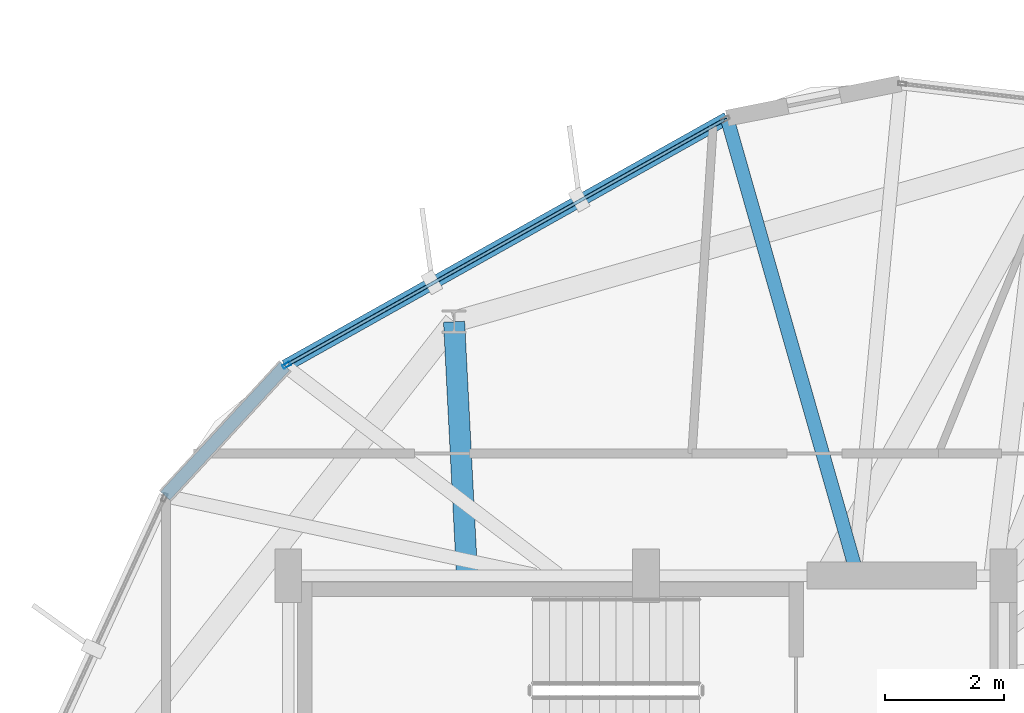
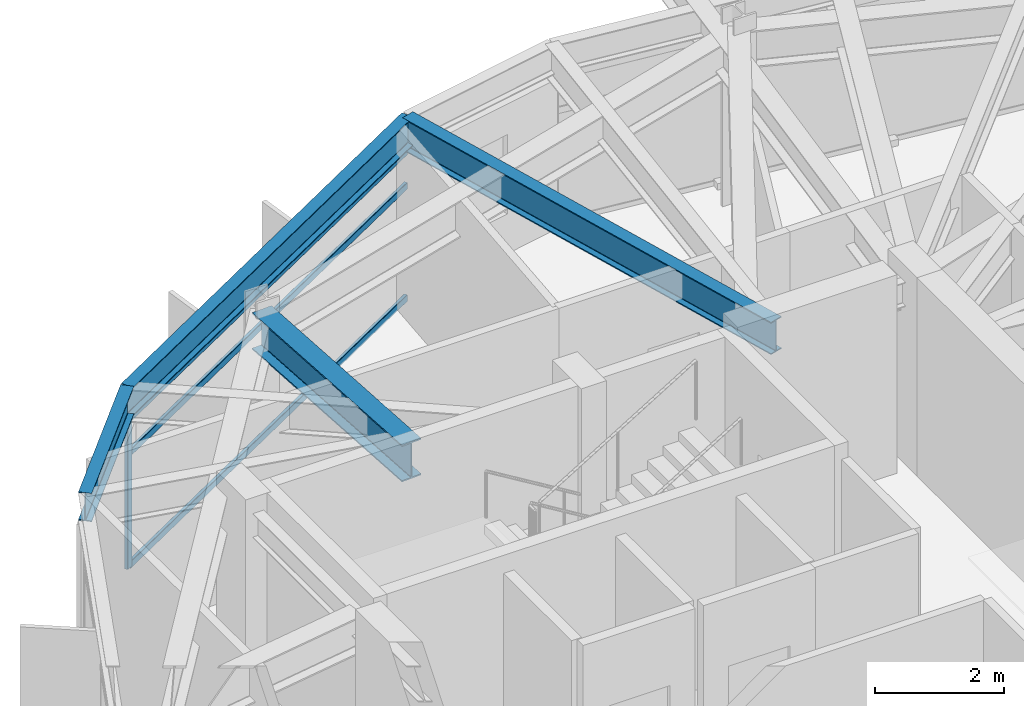
# One storey, part 14 of 25: 4 beams, 4 members, 1 element without a shape of its own.
"""IFC4 building model written with IfcOpenShell, lengths in metres."""

from ifc_helpers import new_model, si_unit, direction, frame, origin, origin_2d, place, context, subcontext, project, spatial, hollow_rectangle, i_section, extrude, material, layer, layer_set, material_profile, profile_set, type_object, element, aggregate, save


model = new_model("IFC4")

# Units and contexts
model_context = context("Model", 3, precision=1e-05, world=origin(), true_north=direction((0.0, 1.0)))
body_context = subcontext(model_context, "Body", "Model", "MODEL_VIEW")
ifc_project = project(units=[si_unit("LENGTHUNIT", "METRE"), si_unit("AREAUNIT", "SQUARE_METRE"), si_unit("VOLUMEUNIT", "CUBIC_METRE"), si_unit("PLANEANGLEUNIT", "RADIAN"), si_unit("MASSUNIT", "GRAM", prefix="KILO")], contexts=[model_context])

# Site, building, storey
site_placement = place(None, origin())
site = spatial("IfcSite", under=ifc_project, at=site_placement, CompositionType="ELEMENT")
building_placement = place(site_placement, origin())
building = spatial("IfcBuilding", under=site, at=building_placement, Name="Soratama Intermodal Tower", CompositionType="ELEMENT")
storey_placement = place(building_placement, frame((0.0, 0.0, 272.5)))
storey = spatial("IfcBuildingStorey", under=building, at=storey_placement, Name="L69", CompositionType="ELEMENT", Elevation=272.5)

# Beams
ifc_material_1 = material(Name="Structural steel ASTM A992 Grade 50", Category="steel")
ifc_material_profile_1 = material_profile(ifc_material_1, i_section(OverallWidth=0.35498046875, OverallDepth=0.695068359375, WebThickness=0.015380859375, FlangeThickness=0.02490234375, FilletRadius=0.01611328125, at=origin_2d()), Name="W27X146")
ifc_profile_set_1 = profile_set([ifc_material_profile_1], Name="Structural steel ASTM A992 Grade 50")
beam_type_1 = type_object("IfcBeamType", Name="BM-RING-W27X146", PredefinedType="BEAM", material=ifc_profile_set_1)
beam_1_placement = place(storey_placement, frame((35.60009765625, 35.0, 3.1025390625), z_axis=(-0.051122516685, 0.998692389221, 0.0), x_axis=(-0.998692389221, -0.051122516685, 0.0)))
element("IfcBeam", 1, at=beam_1_placement, inside=storey, type_object=beam_type_1, Name="BM-L69-RAD-04", PredefinedType="BEAM", context=body_context, shape_type="SweptSolid", body=[
    extrude(i_section(OverallWidth=0.35498046875, OverallDepth=0.695068359375, WebThickness=0.015380859375, FlangeThickness=0.02490234375, FilletRadius=0.01611328125, at=origin_2d()), origin(), (0.0, 0.0, 1.0), 4.2646484375),
])
ifc_material_2 = material(Name="Structural steel ASTM A992 Grade 50", Category="steel")
ifc_material_profile_2 = material_profile(ifc_material_2, i_section(OverallWidth=0.2099609375, OverallDepth=0.537109375, WebThickness=0.010986328125, FlangeThickness=0.017333984375, FilletRadius=0.012939453125, at=origin_2d()), Name="W21X68")
ifc_profile_set_2 = profile_set([ifc_material_profile_2], Name="Structural steel ASTM A992 Grade 50")
beam_type_2 = type_object("IfcBeamType", Name="BM-SPN-W21X68", PredefinedType="SPANDREL", material=ifc_profile_set_2)
beam_2_placement = place(storey_placement, frame((39.9619140625, 42.674072265625, 3.181396484375), z_axis=(-0.87224286594, -0.489072983119, 0.0), x_axis=(0.489072983119, -0.87224286594, 0.0)))
element("IfcBeam", 2, at=beam_2_placement, inside=storey, type_object=beam_type_2, Name="BS-L69-F02", PredefinedType="SPANDREL", context=body_context, shape_type="SweptSolid", body=[
    extrude(i_section(OverallWidth=0.2099609375, OverallDepth=0.537109375, WebThickness=0.010986328125, FlangeThickness=0.017333984375, FilletRadius=0.012939453125, at=origin_2d()), origin(), (0.0, 0.0, 1.0), 8.499755859375),
])
beam_3_placement = place(storey_placement, frame((32.548095703125, 38.51708984375, 3.181396484375), z_axis=(-0.678232252294, -0.734847611379, 0.0), x_axis=(0.734847611379, -0.678232252294, 0.0)))
element("IfcBeam", 3, at=beam_3_placement, inside=storey, type_object=beam_type_2, Name="BS-L69-CRN02", PredefinedType="SPANDREL", context=body_context, shape_type="SweptSolid", body=[
    extrude(i_section(OverallWidth=0.2099609375, OverallDepth=0.537109375, WebThickness=0.010986328125, FlangeThickness=0.017333984375, FilletRadius=0.012939453125, at=origin_2d()), origin(), (0.0, 0.0, 1.0), 2.966796875),
])
ifc_material_3 = material(Name="Structural steel ASTM A992 Grade 50", Category="steel")
ifc_material_profile_3 = material_profile(ifc_material_3, i_section(OverallWidth=0.22900390625, OverallDepth=0.612060546875, WebThickness=0.011962890625, FlangeThickness=0.01953125, FilletRadius=0.012939453125, at=origin_2d()), Name="W24X84")
ifc_profile_set_3 = profile_set([ifc_material_profile_3], Name="Structural steel ASTM A992 Grade 50")
beam_type_3 = type_object("IfcBeamType", Name="BM-TIE-W24X84", PredefinedType="BEAM", material=ifc_profile_set_3)
beam_4_placement = place(storey_placement, frame((42.138916015625, 35.0380859375, 3.14404296875), z_axis=(-0.274172854721, 0.961680428071, 0.0), x_axis=(-0.961680428071, -0.274172854721, 0.0)))
element("IfcBeam", 4, at=beam_4_placement, inside=storey, type_object=beam_type_3, Name="BM-L69-TIE0-02", PredefinedType="BEAM", context=body_context, shape_type="SweptSolid", body=[
    extrude(i_section(OverallWidth=0.22900390625, OverallDepth=0.612060546875, WebThickness=0.011962890625, FlangeThickness=0.01953125, FilletRadius=0.012939453125, at=origin_2d()), origin(), (0.0, 0.0, 1.0), 7.940185546875),
])

# Curtain wall, members
ifc_material_4 = material(Name="Double-glazed aluminium curtain wall", Category="aluminium")
ifc_layer = layer(ifc_material_4, 0.159912109375)
ifc_layer_set = layer_set([ifc_layer], Name="Double-glazed aluminium curtain wall")
curtain_wall_type = type_object("IfcCurtainWallType", Name="CW-SYS-5", PredefinedType="NOTDEFINED", material=ifc_layer_set)
curtain_wall_placement = place(storey_placement, origin())
curtain_wall = element("IfcCurtainWall", 5, at=curtain_wall_placement, inside=storey, type_object=curtain_wall_type, Name="L69 Faceted Curtain Wall F02", PredefinedType="NOTDEFINED")
ifc_material_5 = material(Name="Anodised aluminium AA 6063-T6", Category="aluminium")
ifc_material_profile_4 = material_profile(ifc_material_5, hollow_rectangle(XDim=0.06494140625, YDim=0.139892578125, WallThickness=0.0048828125, InnerFilletRadius=0.0048828125, OuterFilletRadius=0.010009765625, at=origin_2d()), Name="CWM140X65X5")
ifc_profile_set_4 = profile_set([ifc_material_profile_4], Name="Anodised aluminium AA 6063-T6")
member_type_1 = type_object("IfcMemberType", Name="MT-CWM-5", PredefinedType="MULLION", material=ifc_profile_set_4)
member_1_placement = place(storey_placement, frame((32.574462890625, 38.53173828125, 0.0), z_axis=(0.0, 0.0, 1.0), x_axis=(0.489079409958, -0.872239262333, 0.0)))
member_1 = element("IfcMember", 6, at=member_1_placement, type_object=member_type_1, Name="CW-5 mullion 2", PredefinedType="MULLION", context=body_context, shape_type="SweptSolid", body=[
    extrude(hollow_rectangle(XDim=0.06494140625, YDim=0.139892578125, WallThickness=0.0048828125, InnerFilletRadius=0.0048828125, OuterFilletRadius=0.010009765625, at=origin_2d()), origin(), (0.0, 0.0, 1.0), 2.8291015625),
])
ifc_material_6 = material(Name="Anodised aluminium AA 6063-T6", Category="aluminium")
ifc_material_profile_5 = material_profile(ifc_material_6, hollow_rectangle(XDim=0.06005859375, YDim=0.1298828125, WallThickness=0.0048828125, InnerFilletRadius=0.0048828125, OuterFilletRadius=0.010009765625, at=origin_2d()), Name="CWT130X60X5")
ifc_profile_set_5 = profile_set([ifc_material_profile_5], Name="Anodised aluminium AA 6063-T6")
member_type_2 = type_object("IfcMemberType", Name="TT-CWT-2", PredefinedType="USERDEFINED", material=ifc_profile_set_5)
member_2_placement = place(storey_placement, frame((39.909912109375, 42.644775390625, 0.030029296875), z_axis=(-0.87223611151, -0.489085029191, 0.0), x_axis=(0.489085029191, -0.87223611151, 0.0)))
member_2 = element("IfcMember", 7, at=member_2_placement, type_object=member_type_2, Name="CW-5 transom 1.1", ObjectType="TRANSOM", PredefinedType="USERDEFINED", context=body_context, shape_type="SweptSolid", body=[
    extrude(hollow_rectangle(XDim=0.06005859375, YDim=0.1298828125, WallThickness=0.0048828125, InnerFilletRadius=0.0048828125, OuterFilletRadius=0.010009765625, at=origin_2d()), origin(), (0.0, 0.0, 1.0), 8.379638671875),
])
member_3_placement = place(storey_placement, frame((39.909912109375, 42.644775390625, 2.14990234375), z_axis=(-0.87223611151, -0.489085029191, 0.0), x_axis=(0.489085029191, -0.87223611151, 0.0)))
member_3 = element("IfcMember", 8, at=member_3_placement, type_object=member_type_2, Name="CW-5 transom 1.2", ObjectType="TRANSOM", PredefinedType="USERDEFINED", context=body_context, shape_type="SweptSolid", body=[
    extrude(hollow_rectangle(XDim=0.06005859375, YDim=0.1298828125, WallThickness=0.0048828125, InnerFilletRadius=0.0048828125, OuterFilletRadius=0.010009765625, at=origin_2d()), origin(), (0.0, 0.0, 1.0), 8.379638671875),
])
member_4_placement = place(storey_placement, frame((39.909912109375, 42.644775390625, 2.799072265625), z_axis=(-0.87223611151, -0.489085029191, 0.0), x_axis=(0.489085029191, -0.87223611151, 0.0)))
member_4 = element("IfcMember", 9, at=member_4_placement, type_object=member_type_2, Name="CW-5 transom 1.3", ObjectType="TRANSOM", PredefinedType="USERDEFINED", context=body_context, shape_type="SweptSolid", body=[
    extrude(hollow_rectangle(XDim=0.06005859375, YDim=0.1298828125, WallThickness=0.0048828125, InnerFilletRadius=0.0048828125, OuterFilletRadius=0.010009765625, at=origin_2d()), origin(), (0.0, 0.0, 1.0), 8.379638671875),
])
aggregate(curtain_wall, [member_1, member_2, member_3, member_4])

save(model, "model.ifc")
